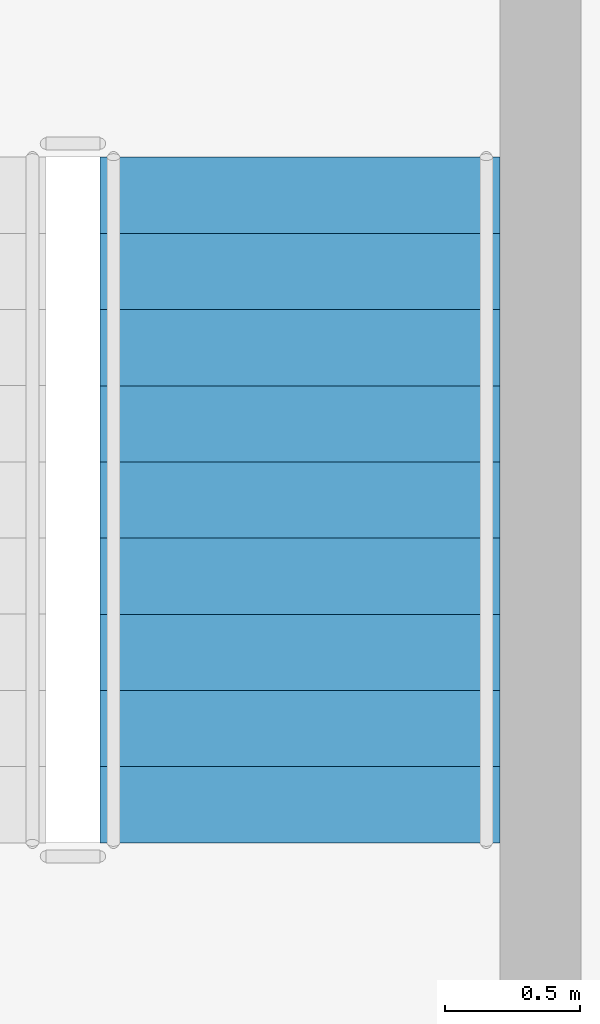
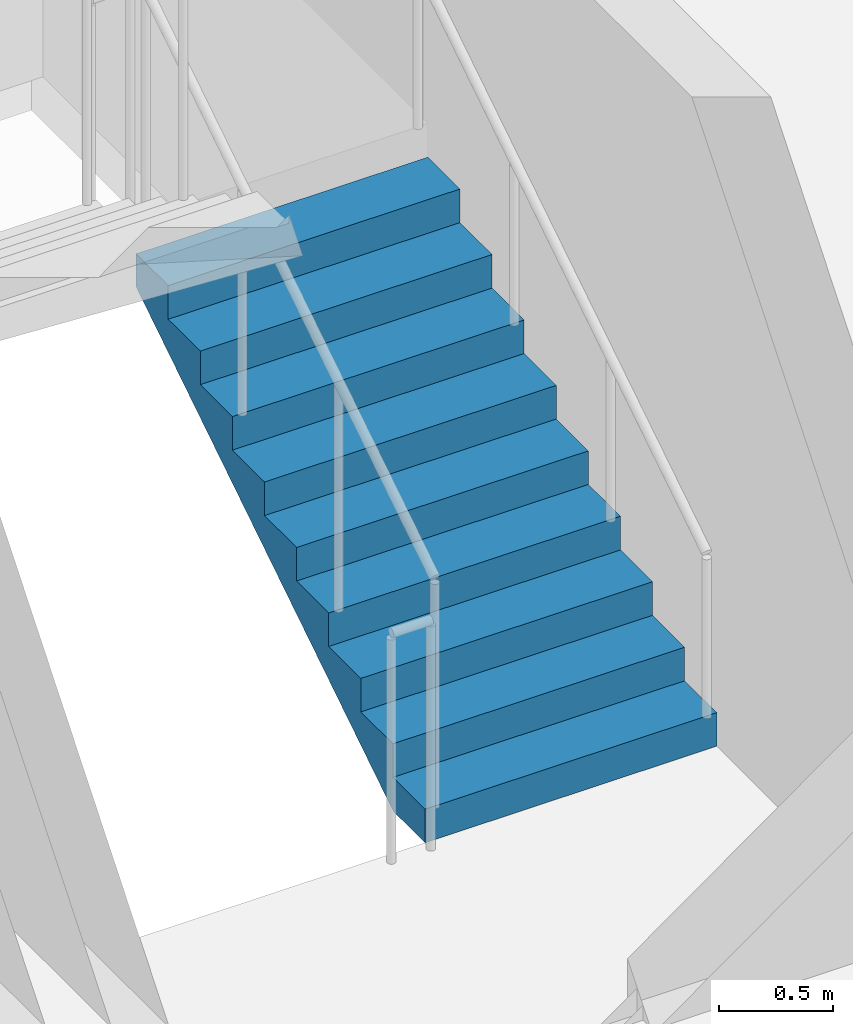
# One storey, part 8 of 9: 1 stair flight, 1 element without a shape of its own.
"""IFC4 building model written with IfcOpenShell, lengths in metres."""

from ifc_helpers import new_model, si_unit, direction, frame, origin, place, context, subcontext, project, spatial, polyline, outline, extrude, material, type_object, element, aggregate, save


model = new_model("IFC4")

# Units and contexts
model_context = context("Model", 3, precision=1e-05, world=origin(), true_north=direction((0.0, 1.0)))
body_context = subcontext(model_context, "Body", "Model", "MODEL_VIEW")
ifc_project = project(units=[si_unit("LENGTHUNIT", "METRE"), si_unit("AREAUNIT", "SQUARE_METRE"), si_unit("VOLUMEUNIT", "CUBIC_METRE"), si_unit("PLANEANGLEUNIT", "RADIAN"), si_unit("MASSUNIT", "GRAM", prefix="KILO")], contexts=[model_context])

# Site, building, storey
site_placement = place(None, origin())
site = spatial("IfcSite", under=ifc_project, at=site_placement, CompositionType="ELEMENT")
building_placement = place(site_placement, origin())
building = spatial("IfcBuilding", under=site, at=building_placement, Name="Ochreholt Gables", CompositionType="ELEMENT")
storey_placement = place(building_placement, frame((0.0, 0.0, 94.800048828125)))
storey = spatial("IfcBuildingStorey", under=building, at=storey_placement, Name="L24", CompositionType="ELEMENT", Elevation=94.800048828125)

# Stair, stair flight
ifc_material = material(Name="Concrete 40 MPa", Category="concrete")
stair_type = type_object("IfcStairType", Name="STAIR-CORE-ST-2", PredefinedType="HALF_TURN_STAIR", material=ifc_material)
stair_placement = place(storey_placement, origin())
stair = element("IfcStair", 1, at=stair_placement, inside=storey, type_object=stair_type, Name="L24 Core Exit Stair 2", PredefinedType="HALF_TURN_STAIR")
stair_flight_type = type_object("IfcStairFlightType", Name="FLIGHT-ST-1480-1800", PredefinedType="STRAIGHT", material=ifc_material)
stair_flight_placement = place(storey_placement, frame((27.340087890625, 32.4599609375, 0.0), z_axis=(0.0, 0.0, 1.0), x_axis=(0.0, 1.0, 0.0)))
stair_flight = element("IfcStairFlight", 2, at=stair_flight_placement, type_object=stair_flight_type, Name="ST-2 flight 1", NumberOfRisers=10, NumberOfTreads=9, PredefinedType="STRAIGHT", RiserHeight=0.18, TreadLength=0.282, context=body_context, shape_type="SweptSolid", body=[
    extrude(outline(polyline([(0.0, 0.0), (0.0, 0.179931640625), (0.281982421875, 0.179931640625), (0.281982421875, 0.360107421875), (0.56396484375, 0.360107421875), (0.56396484375, 0.5400390625), (0.845947265625, 0.5400390625), (0.845947265625, 0.719970703125), (1.1279296875, 0.719970703125), (1.1279296875, 0.89990234375), (1.409912109375, 0.89990234375), (1.409912109375, 1.080078125), (1.69189453125, 1.080078125), (1.69189453125, 1.260009765625), (1.97412109375, 1.260009765625), (1.97412109375, 1.43994140625), (2.256103515625, 1.43994140625), (2.256103515625, 1.6201171875), (2.5380859375, 1.6201171875), (2.5380859375, 1.800048828125), (2.5380859375, 1.442138671875), (0.278564453125, 0.0), (0.0, 0.0)])), frame((0.0, 0.739990234375, 0.0), z_axis=(0.0, -1.0, 0.0), x_axis=(1.0, 0.0, 0.0)), (0.0, 0.0, 1.0), 1.47998046875),
])
aggregate(stair, [stair_flight])

save(model, "model.ifc")
